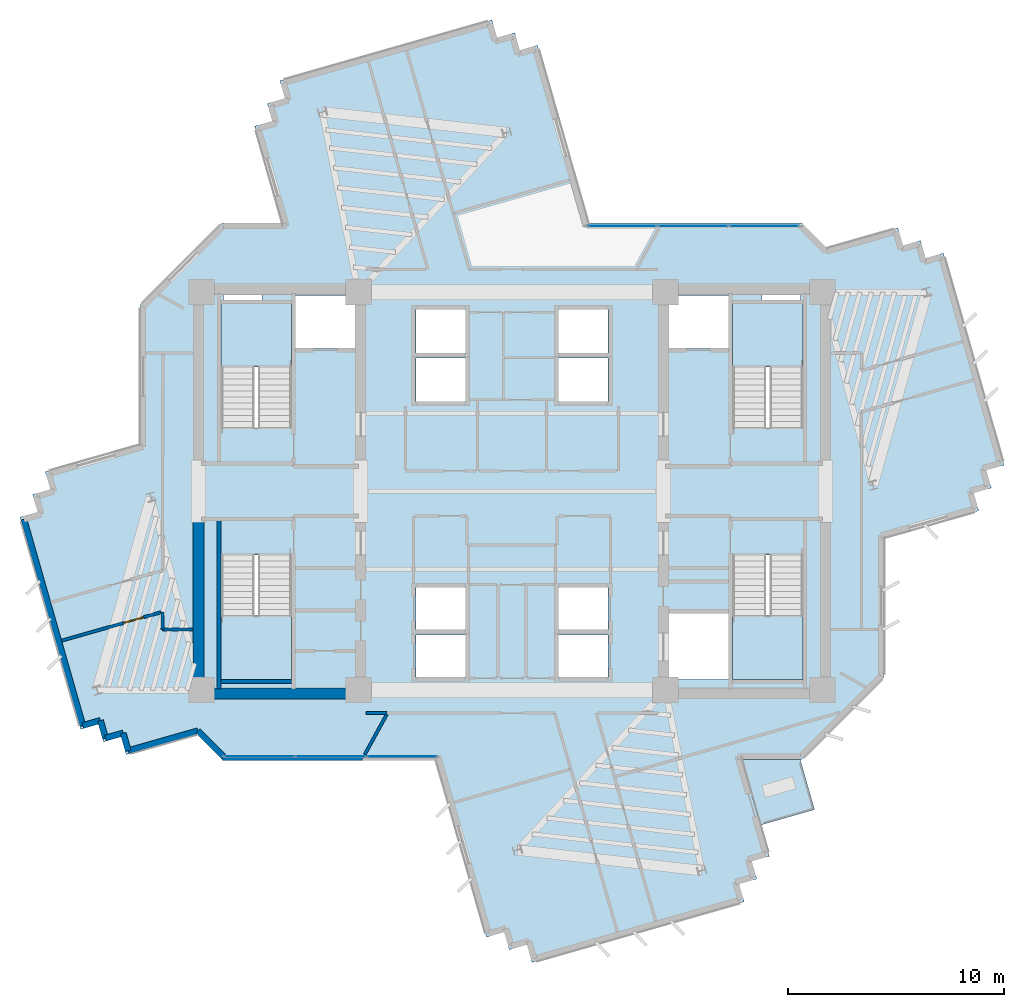
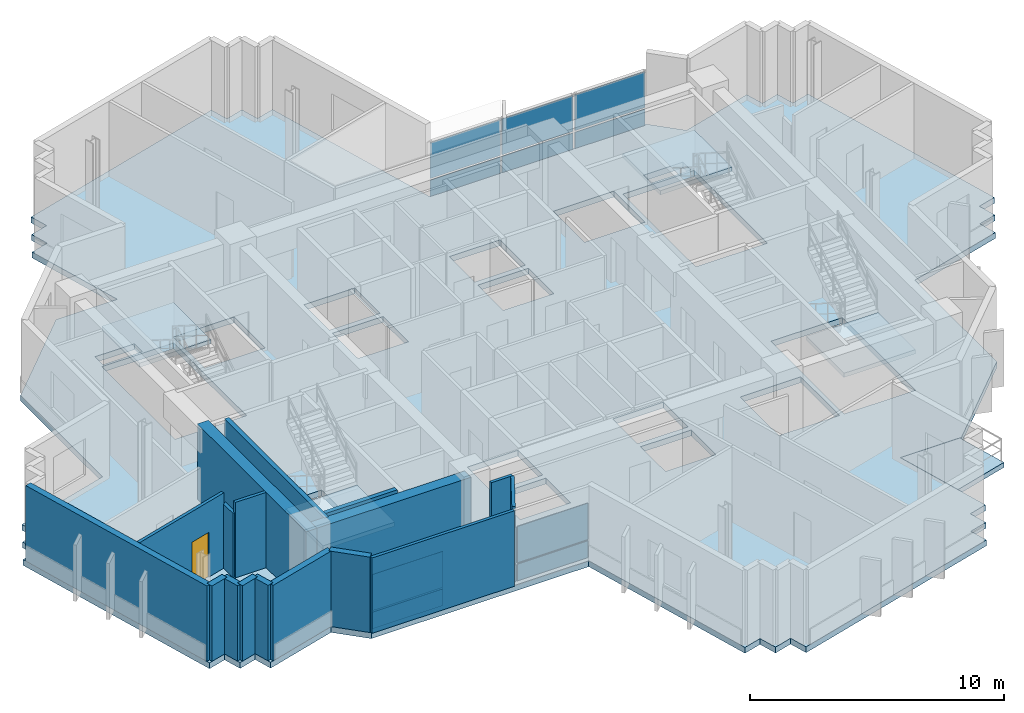
# One storey, part 4 of 14: 17 walls, 12 plates, 6 slabs, 1 door, 1 opening, 6 elements without a shape of their own.
"""IFC4 building model written with IfcOpenShell, lengths in metres."""

from ifc_helpers import new_model, si_unit, direction, frame, frame_2d, origin, origin_2d, place, context, subcontext, project, spatial, polyline, rectangle, outline, extrude, source, transform, mapped, material, layer, layer_set, type_object, element, fill, aggregate, save


model = new_model("IFC4")

# Units and contexts
model_context = context("Model", 3, precision=1e-05, world=origin(), true_north=direction((0.0, 1.0)))
body_context = subcontext(model_context, "Body", "Model", "MODEL_VIEW")
ifc_project = project(units=[si_unit("LENGTHUNIT", "METRE"), si_unit("AREAUNIT", "SQUARE_METRE"), si_unit("VOLUMEUNIT", "CUBIC_METRE"), si_unit("PLANEANGLEUNIT", "RADIAN"), si_unit("MASSUNIT", "GRAM", prefix="KILO")], contexts=[model_context])

# Site, building, storey
site_placement = place(None, origin())
site = spatial("IfcSite", under=ifc_project, at=site_placement, CompositionType="ELEMENT")
building_placement = place(site_placement, origin())
building = spatial("IfcBuilding", under=site, at=building_placement, Name="Zahravan Cultural Tower", CompositionType="ELEMENT")
storey_placement = place(building_placement, frame((0.0, 0.0, 205.800048828125)))
storey = spatial("IfcBuildingStorey", under=building, at=storey_placement, Name="L48", CompositionType="ELEMENT", Elevation=205.800048828125)

# Slab
ifc_material_1 = material(Name="Concrete C45/55", Category="concrete")
ifc_layer_1 = layer(ifc_material_1, 0.280029296875)
ifc_layer_set_1 = layer_set([ifc_layer_1], Name="Concrete C45/55")
slab_type_1 = type_object("IfcSlabType", Name="SL-LIB-280", PredefinedType="FLOOR", material=ifc_layer_set_1)
slab_1_placement = place(storey_placement, frame((0.0, 0.0, -0.280029296875)))
element("IfcSlab", 1, at=slab_1_placement, inside=storey, type_object=slab_type_1, Name="L48 Structural Floor Slab", PredefinedType="FLOOR", context=body_context, shape_type="SweptSolid", body=[
    extrude(outline(polyline([(50.5625, 38.2373046875), (49.39990234375, 39.39990234375), (39.5263671875, 39.39990234375), (37.176025390625, 47.6181640625), (36.35888671875, 47.384521484375), (36.125, 48.20166015625), (35.307861328125, 47.968017578125), (35.07421875, 48.78515625), (25.267333984375, 45.98046875), (25.5009765625, 45.163330078125), (24.683837890625, 44.929443359375), (24.91748046875, 44.1123046875), (24.100341796875, 43.878662109375), (25.381103515625, 39.39990234375), (22.60009765625, 39.39990234375), (18.800048828125, 35.60009765625), (18.800048828125, 29.153564453125), (14.42041015625, 27.901123046875), (14.654052734375, 27.083740234375), (13.8369140625, 26.85009765625), (14.070556640625, 26.032958984375), (13.25341796875, 25.79931640625), (16.05810546875, 15.9921875), (16.875244140625, 16.22607421875), (17.10888671875, 15.40869140625), (17.92626953125, 15.642578125), (18.159912109375, 14.8251953125), (21.4375, 15.7626953125), (22.60009765625, 14.60009765625), (32.4736328125, 14.60009765625), (34.823974609375, 6.3818359375), (35.64111328125, 6.615478515625), (35.875, 5.79833984375), (36.692138671875, 6.031982421875), (36.92578125, 5.21484375), (46.732666015625, 8.01953125), (46.4990234375, 8.836669921875), (47.316162109375, 9.070556640625), (47.08251953125, 9.8876953125), (47.899658203125, 10.121337890625), (46.618896484375, 14.60009765625), (49.39990234375, 14.60009765625), (53.199951171875, 18.39990234375), (53.199951171875, 24.846435546875), (57.57958984375, 26.098876953125), (57.345947265625, 26.916259765625), (58.1630859375, 27.14990234375), (57.929443359375, 27.967041015625), (58.74658203125, 28.20068359375), (55.94189453125, 38.0078125), (55.124755859375, 37.77392578125), (54.89111328125, 38.59130859375), (54.07373046875, 38.357421875), (53.840087890625, 39.1748046875), (50.5625, 38.2373046875)]), holes=[polyline([(22.550048828125, 29.949951171875), (22.550048828125, 35.699951171875), (25.800048828125, 35.699951171875), (25.800048828125, 29.949951171875), (22.550048828125, 29.949951171875)]), polyline([(22.550048828125, 18.300048828125), (22.550048828125, 24.050048828125), (25.800048828125, 24.050048828125), (25.800048828125, 18.300048828125), (22.550048828125, 18.300048828125)]), polyline([(46.199951171875, 29.949951171875), (46.199951171875, 35.699951171875), (49.449951171875, 35.699951171875), (49.449951171875, 29.949951171875), (46.199951171875, 29.949951171875)]), polyline([(46.199951171875, 18.300048828125), (46.199951171875, 24.050048828125), (49.449951171875, 24.050048828125), (49.449951171875, 18.300048828125), (46.199951171875, 18.300048828125)]), polyline([(26.0, 33.60009765625), (26.0, 36.050048828125), (28.75, 36.050048828125), (28.75, 33.60009765625), (26.0, 33.60009765625)]), polyline([(43.25, 33.60009765625), (43.25, 36.050048828125), (46.0, 36.050048828125), (46.0, 33.60009765625), (43.25, 33.60009765625)]), polyline([(43.25, 18.300048828125), (43.25, 21.35009765625), (46.0, 21.35009765625), (46.0, 18.300048828125), (43.25, 18.300048828125)]), polyline([(31.550048828125, 33.39990234375), (31.550048828125, 35.39990234375), (33.85009765625, 35.39990234375), (33.85009765625, 33.39990234375), (31.550048828125, 33.39990234375)]), polyline([(31.550048828125, 31.14990234375), (31.550048828125, 33.14990234375), (33.85009765625, 33.14990234375), (33.85009765625, 31.14990234375), (31.550048828125, 31.14990234375)]), polyline([(38.14990234375, 33.39990234375), (38.14990234375, 35.39990234375), (40.449951171875, 35.39990234375), (40.449951171875, 33.39990234375), (38.14990234375, 33.39990234375)]), polyline([(38.14990234375, 31.14990234375), (38.14990234375, 33.14990234375), (40.449951171875, 33.14990234375), (40.449951171875, 31.14990234375), (38.14990234375, 31.14990234375)]), polyline([(31.550048828125, 20.60009765625), (31.550048828125, 22.550048828125), (33.85009765625, 22.550048828125), (33.85009765625, 20.60009765625), (31.550048828125, 20.60009765625)]), polyline([(31.550048828125, 18.39990234375), (31.550048828125, 20.35009765625), (33.85009765625, 20.35009765625), (33.85009765625, 18.39990234375), (31.550048828125, 18.39990234375)]), polyline([(38.14990234375, 20.60009765625), (38.14990234375, 22.550048828125), (40.449951171875, 22.550048828125), (40.449951171875, 20.60009765625), (38.14990234375, 20.60009765625)]), polyline([(38.14990234375, 18.39990234375), (38.14990234375, 20.35009765625), (40.449951171875, 20.35009765625), (40.449951171875, 18.39990234375), (38.14990234375, 18.39990234375)]), polyline([(22.64990234375, 35.800048828125), (22.64990234375, 36.419921875), (24.449951171875, 36.419921875), (24.449951171875, 35.800048828125), (22.64990234375, 35.800048828125)]), polyline([(47.550048828125, 35.800048828125), (47.550048828125, 36.419921875), (49.35009765625, 36.419921875), (49.35009765625, 35.800048828125), (47.550048828125, 35.800048828125)])]), origin(), (0.0, 0.0, 1.0), 0.280029296875),
])

# Stair, slab
stair_type = type_object("IfcStairType", Name="STR-DL-1550-390", PredefinedType="HALF_TURN_STAIR", material=ifc_material_1)
stair_1_placement = place(storey_placement, origin())
stair_1 = element("IfcStair", 2, at=stair_1_placement, inside=storey, type_object=stair_type, Name="L48 West Core North Exit Stair ST-W1", PredefinedType="HALF_TURN_STAIR")
ifc_layer_2 = layer(ifc_material_1, 0.199951171875)
ifc_layer_set_2 = layer_set([ifc_layer_2], Name="Concrete C45/55")
slab_type_2 = type_object("IfcSlabType", Name="SL-STAIR-LND200", PredefinedType="LANDING", material=ifc_layer_set_2)
slab_2_placement = place(storey_placement, frame((0.0, 0.0, 1.75)))
slab_2 = element("IfcSlab", 3, at=slab_2_placement, type_object=slab_type_2, Name="ST-W1 landing 1", PredefinedType="LANDING", context=body_context, shape_type="SweptSolid", body=[
    extrude(outline(polyline([(25.800048828125, 32.75), (25.800048828125, 35.699951171875), (22.550048828125, 35.699951171875), (22.550048828125, 32.75), (25.800048828125, 32.75)])), origin(), (0.0, 0.0, 1.0), 0.199951171875),
])
aggregate(stair_1, [slab_2])

stair_2_placement = place(storey_placement, origin())
stair_2 = element("IfcStair", 4, at=stair_2_placement, inside=storey, type_object=stair_type, Name="L48 West Core South Exit Stair ST-W2", PredefinedType="HALF_TURN_STAIR")
slab_3_placement = place(storey_placement, frame((0.0, 0.0, 1.75)))
slab_3 = element("IfcSlab", 5, at=slab_3_placement, type_object=slab_type_2, Name="ST-W2 landing 1", PredefinedType="LANDING", context=body_context, shape_type="SweptSolid", body=[
    extrude(outline(polyline([(22.550048828125, 21.25), (22.550048828125, 18.300048828125), (25.800048828125, 18.300048828125), (25.800048828125, 21.25), (22.550048828125, 21.25)])), origin(), (0.0, 0.0, 1.0), 0.199951171875),
])
aggregate(stair_2, [slab_3])

stair_3_placement = place(storey_placement, origin())
stair_3 = element("IfcStair", 6, at=stair_3_placement, inside=storey, type_object=stair_type, Name="L48 East Core North Exit Stair ST-E1", PredefinedType="HALF_TURN_STAIR")
slab_4_placement = place(storey_placement, frame((0.0, 0.0, 1.75)))
slab_4 = element("IfcSlab", 7, at=slab_4_placement, type_object=slab_type_2, Name="ST-E1 landing 1", PredefinedType="LANDING", context=body_context, shape_type="SweptSolid", body=[
    extrude(outline(polyline([(49.449951171875, 32.75), (49.449951171875, 35.699951171875), (46.199951171875, 35.699951171875), (46.199951171875, 32.75), (49.449951171875, 32.75)])), origin(), (0.0, 0.0, 1.0), 0.199951171875),
])
aggregate(stair_3, [slab_4])

stair_4_placement = place(storey_placement, origin())
stair_4 = element("IfcStair", 8, at=stair_4_placement, inside=storey, type_object=stair_type, Name="L48 East Core South Exit Stair ST-E2", PredefinedType="HALF_TURN_STAIR")
slab_5_placement = place(storey_placement, frame((0.0, 0.0, 1.75)))
slab_5 = element("IfcSlab", 9, at=slab_5_placement, type_object=slab_type_2, Name="ST-E2 landing 1", PredefinedType="LANDING", context=body_context, shape_type="SweptSolid", body=[
    extrude(outline(polyline([(46.199951171875, 21.25), (46.199951171875, 18.300048828125), (49.449951171875, 18.300048828125), (49.449951171875, 21.25), (46.199951171875, 21.25)])), origin(), (0.0, 0.0, 1.0), 0.199951171875),
])
aggregate(stair_4, [slab_5])

# Slab
ifc_material_2 = material(Name="Concrete C40/50", Category="concrete")
ifc_layer_3 = layer(ifc_material_2, 0.239990234375)
ifc_layer_set_3 = layer_set([ifc_layer_3], Name="Concrete C40/50")
slab_type_3 = type_object("IfcSlabType", Name="SL-TERR-240", PredefinedType="FLOOR", material=ifc_layer_set_3)
slab_6_placement = place(storey_placement, frame((0.0, 0.0, -0.239990234375)))
element("IfcSlab", 10, at=slab_6_placement, inside=storey, type_object=slab_type_3, Name="L48 Planted Sculpture Terrace SE", PredefinedType="FLOOR", context=body_context, shape_type="SweptSolid", body=[
    extrude(outline(polyline([(49.987060546875, 12.278564453125), (49.32470703125, 14.594970703125), (46.62548828125, 14.594970703125), (47.4921875, 11.56494140625), (49.987060546875, 12.278564453125)])), origin(), (0.0, 0.0, 1.0), 0.239990234375),
])

# Curtain wall, plates
ifc_material_3 = material(Name="Anodised bronze-aluminium mullion", Category="aluminium")
ifc_layer_4 = layer(ifc_material_3, 0.1650390625)
ifc_layer_set_4 = layer_set([ifc_layer_4], Name="Anodised bronze-aluminium mullion")
curtain_wall_type_1 = type_object("IfcCurtainWallType", Name="CW-SYS-4", PredefinedType="USERDEFINED", material=ifc_layer_set_4)
curtain_wall_1_placement = place(storey_placement, origin())
curtain_wall_1 = element("IfcCurtainWall", 11, at=curtain_wall_1_placement, inside=storey, type_object=curtain_wall_type_1, Name="L48 Recessed Curtain Wall CW-4.1", ObjectType="RECESSED GLAZING", PredefinedType="USERDEFINED")
ifc_material_4 = material(Name="Low-E solar-control double glazing", Category="glass")
ifc_layer_5 = layer(ifc_material_4, 0.02587890625)
ifc_layer_set_5 = layer_set([ifc_layer_5], Name="Low-E solar-control double glazing")
plate_type_1 = type_object("IfcPlateType", Name="CWP-CW-4", PredefinedType="CURTAIN_PANEL", material=ifc_layer_set_5)
shared_shape_1 = source(origin(), body_context, "Body", "SweptSolid", [
    extrude(rectangle(XDim=3.209716796875, YDim=0.02587890625, at=origin_2d()), origin(), (0.0, 0.0, 1.0), 0.802490234375),
])
plate_1_placement = place(storey_placement, frame((30.909423828125, 14.739990234375, 0.06494140625), z_axis=(0.0, 0.0, 1.0), x_axis=(-1.0, 0.0, 0.0)))
plate_1 = element("IfcPlate", 12, at=plate_1_placement, type_object=plate_type_1, Name="CW-4 panel 1.1", PredefinedType="CURTAIN_PANEL", context=body_context, shape_type="MappedRepresentation", body=[
    mapped(shared_shape_1, transform((0.0, 0.0, 0.0), x_axis=(1.0, 0.0, 0.0), y_axis=(0.0, 1.0, 0.0), z_axis=(0.0, 0.0, 1.0), scale=1.0)),
])
plate_2_placement = place(storey_placement, frame((24.327880859375, 14.739990234375, 0.06494140625), z_axis=(0.0, 0.0, 1.0), x_axis=(-1.0, 0.0, 0.0)))
plate_2 = element("IfcPlate", 13, at=plate_2_placement, type_object=plate_type_1, Name="CW-4 panel 3.1", PredefinedType="CURTAIN_PANEL", context=body_context, shape_type="MappedRepresentation", body=[
    mapped(shared_shape_1, transform((0.0, 0.0, 0.0), x_axis=(1.0, 0.0, 0.0), y_axis=(0.0, 1.0, 0.0), z_axis=(0.0, 0.0, 1.0), scale=1.0)),
])
shared_shape_2 = source(origin(), body_context, "Body", "SweptSolid", [
    extrude(rectangle(XDim=3.209716796875, YDim=0.02587890625, at=origin_2d()), origin(), (0.0, 0.0, 1.0), 1.742431640625),
])
plate_3_placement = place(storey_placement, frame((30.909423828125, 14.739990234375, 0.9326171875), z_axis=(0.0, 0.0, 1.0), x_axis=(-1.0, 0.0, 0.0)))
plate_3 = element("IfcPlate", 14, at=plate_3_placement, type_object=plate_type_1, Name="CW-4 panel 1.2", PredefinedType="CURTAIN_PANEL", context=body_context, shape_type="MappedRepresentation", body=[
    mapped(shared_shape_2, transform((0.0, 0.0, 0.0), x_axis=(1.0, 0.0, 0.0), y_axis=(0.0, 1.0, 0.0), z_axis=(0.0, 0.0, 1.0), scale=1.0)),
])
plate_4_placement = place(storey_placement, frame((24.327880859375, 14.739990234375, 0.9326171875), z_axis=(0.0, 0.0, 1.0), x_axis=(-1.0, 0.0, 0.0)))
plate_4 = element("IfcPlate", 15, at=plate_4_placement, type_object=plate_type_1, Name="CW-4 panel 3.2", PredefinedType="CURTAIN_PANEL", context=body_context, shape_type="MappedRepresentation", body=[
    mapped(shared_shape_2, transform((0.0, 0.0, 0.0), x_axis=(1.0, 0.0, 0.0), y_axis=(0.0, 1.0, 0.0), z_axis=(0.0, 0.0, 1.0), scale=1.0)),
])
shared_shape_3 = source(origin(), body_context, "Body", "SweptSolid", [
    extrude(rectangle(XDim=3.2421875, YDim=0.02587890625, at=origin_2d()), origin(), (0.0, 0.0, 1.0), 0.802490234375),
])
plate_5_placement = place(storey_placement, frame((27.61865234375, 14.739990234375, 0.06494140625), z_axis=(0.0, 0.0, 1.0), x_axis=(-1.0, 0.0, 0.0)))
plate_5 = element("IfcPlate", 16, at=plate_5_placement, type_object=plate_type_1, Name="CW-4 panel 2.1", PredefinedType="CURTAIN_PANEL", context=body_context, shape_type="MappedRepresentation", body=[
    mapped(shared_shape_3, transform((0.0, 0.0, 0.0), x_axis=(1.0, 0.0, 0.0), y_axis=(0.0, 1.0, 0.0), z_axis=(0.0, 0.0, 1.0), scale=1.0)),
])
shared_shape_4 = source(origin(), body_context, "Body", "SweptSolid", [
    extrude(rectangle(XDim=3.2421875, YDim=0.02587890625, at=origin_2d()), origin(), (0.0, 0.0, 1.0), 1.742431640625),
])
plate_6_placement = place(storey_placement, frame((27.61865234375, 14.739990234375, 0.9326171875), z_axis=(0.0, 0.0, 1.0), x_axis=(-1.0, 0.0, 0.0)))
plate_6 = element("IfcPlate", 17, at=plate_6_placement, type_object=plate_type_1, Name="CW-4 panel 2.2", PredefinedType="CURTAIN_PANEL", context=body_context, shape_type="MappedRepresentation", body=[
    mapped(shared_shape_4, transform((0.0, 0.0, 0.0), x_axis=(1.0, 0.0, 0.0), y_axis=(0.0, 1.0, 0.0), z_axis=(0.0, 0.0, 1.0), scale=1.0)),
])
aggregate(curtain_wall_1, [plate_1, plate_3, plate_5, plate_6, plate_2, plate_4])

ifc_layer_6 = layer(ifc_material_3, 0.219970703125)
ifc_layer_set_6 = layer_set([ifc_layer_6], Name="Anodised bronze-aluminium mullion")
curtain_wall_type_2 = type_object("IfcCurtainWallType", Name="CW-SYS-1", PredefinedType="USERDEFINED", material=ifc_layer_set_6)
curtain_wall_2_placement = place(storey_placement, origin())
curtain_wall_2 = element("IfcCurtainWall", 18, at=curtain_wall_2_placement, inside=storey, type_object=curtain_wall_type_2, Name="L48 Recessed Curtain Wall CW-1.2", ObjectType="RECESSED GLAZING", PredefinedType="USERDEFINED")
ifc_layer_7 = layer(ifc_material_4, 0.031982421875)
ifc_layer_set_7 = layer_set([ifc_layer_7], Name="Low-E solar-control double glazing")
plate_type_2 = type_object("IfcPlateType", Name="CWP-CW-1", PredefinedType="CURTAIN_PANEL", material=ifc_layer_set_7)
shared_shape_5 = source(origin(), body_context, "Body", "SweptSolid", [
    extrude(rectangle(XDim=3.18701171875, YDim=0.031982421875, at=origin_2d()), origin(), (0.0, 0.0, 1.0), 0.780029296875),
])
plate_7_placement = place(storey_placement, frame((41.09423828125, 39.260009765625, 0.080078125), z_axis=(0.0, 0.0, 1.0), x_axis=(1.0, 0.0, 0.0)))
plate_7 = element("IfcPlate", 19, at=plate_7_placement, type_object=plate_type_2, Name="CW-1 panel 1.1", PredefinedType="CURTAIN_PANEL", context=body_context, shape_type="MappedRepresentation", body=[
    mapped(shared_shape_5, transform((0.0, 0.0, 0.0), x_axis=(1.0, 0.0, 0.0), y_axis=(0.0, 1.0, 0.0), z_axis=(0.0, 0.0, 1.0), scale=1.0)),
])
plate_8_placement = place(storey_placement, frame((47.66845703125, 39.260009765625, 0.080078125), z_axis=(0.0, 0.0, 1.0), x_axis=(1.0, 0.0, 0.0)))
plate_8 = element("IfcPlate", 20, at=plate_8_placement, type_object=plate_type_2, Name="CW-1 panel 3.1", PredefinedType="CURTAIN_PANEL", context=body_context, shape_type="MappedRepresentation", body=[
    mapped(shared_shape_5, transform((0.0, 0.0, 0.0), x_axis=(1.0, 0.0, 0.0), y_axis=(0.0, 1.0, 0.0), z_axis=(0.0, 0.0, 1.0), scale=1.0)),
])
shared_shape_6 = source(origin(), body_context, "Body", "SweptSolid", [
    extrude(rectangle(XDim=3.18701171875, YDim=0.031982421875, at=origin_2d()), origin(), (0.0, 0.0, 1.0), 1.719970703125),
])
plate_9_placement = place(storey_placement, frame((41.09423828125, 39.260009765625, 0.93994140625), z_axis=(0.0, 0.0, 1.0), x_axis=(1.0, 0.0, 0.0)))
plate_9 = element("IfcPlate", 21, at=plate_9_placement, type_object=plate_type_2, Name="CW-1 panel 1.2", PredefinedType="CURTAIN_PANEL", context=body_context, shape_type="MappedRepresentation", body=[
    mapped(shared_shape_6, transform((0.0, 0.0, 0.0), x_axis=(1.0, 0.0, 0.0), y_axis=(0.0, 1.0, 0.0), z_axis=(0.0, 0.0, 1.0), scale=1.0)),
])
plate_10_placement = place(storey_placement, frame((47.66845703125, 39.260009765625, 0.93994140625), z_axis=(0.0, 0.0, 1.0), x_axis=(1.0, 0.0, 0.0)))
plate_10 = element("IfcPlate", 22, at=plate_10_placement, type_object=plate_type_2, Name="CW-1 panel 3.2", PredefinedType="CURTAIN_PANEL", context=body_context, shape_type="MappedRepresentation", body=[
    mapped(shared_shape_6, transform((0.0, 0.0, 0.0), x_axis=(1.0, 0.0, 0.0), y_axis=(0.0, 1.0, 0.0), z_axis=(0.0, 0.0, 1.0), scale=1.0)),
])
shared_shape_7 = source(origin(), body_context, "Body", "SweptSolid", [
    extrude(rectangle(XDim=3.22705078125, YDim=0.031982421875, at=origin_2d()), origin(), (0.0, 0.0, 1.0), 0.780029296875),
])
plate_11_placement = place(storey_placement, frame((44.38134765625, 39.260009765625, 0.080078125), z_axis=(0.0, 0.0, 1.0), x_axis=(1.0, 0.0, 0.0)))
plate_11 = element("IfcPlate", 23, at=plate_11_placement, type_object=plate_type_2, Name="CW-1 panel 2.1", PredefinedType="CURTAIN_PANEL", context=body_context, shape_type="MappedRepresentation", body=[
    mapped(shared_shape_7, transform((0.0, 0.0, 0.0), x_axis=(1.0, 0.0, 0.0), y_axis=(0.0, 1.0, 0.0), z_axis=(0.0, 0.0, 1.0), scale=1.0)),
])
shared_shape_8 = source(origin(), body_context, "Body", "SweptSolid", [
    extrude(rectangle(XDim=3.22705078125, YDim=0.031982421875, at=origin_2d()), origin(), (0.0, 0.0, 1.0), 1.719970703125),
])
plate_12_placement = place(storey_placement, frame((44.38134765625, 39.260009765625, 0.93994140625), z_axis=(0.0, 0.0, 1.0), x_axis=(1.0, 0.0, 0.0)))
plate_12 = element("IfcPlate", 24, at=plate_12_placement, type_object=plate_type_2, Name="CW-1 panel 2.2", PredefinedType="CURTAIN_PANEL", context=body_context, shape_type="MappedRepresentation", body=[
    mapped(shared_shape_8, transform((0.0, 0.0, 0.0), x_axis=(1.0, 0.0, 0.0), y_axis=(0.0, 1.0, 0.0), z_axis=(0.0, 0.0, 1.0), scale=1.0)),
])
aggregate(curtain_wall_2, [plate_7, plate_9, plate_11, plate_12, plate_8, plate_10])

# Wall, opening, door
ifc_material_5 = material(Name="Gypsum plasterboard partition")
ifc_layer_8 = layer(ifc_material_5, 0.139892578125)
ifc_layer_set_8 = layer_set([ifc_layer_8], Name="Gypsum plasterboard partition")
wall_type_1 = type_object("IfcWallType", Name="W-PART-140", PredefinedType="PARTITIONING", material=ifc_layer_set_8)
wall_1_placement = place(storey_placement, frame((15.1826171875, 20.089599609375, 0.0), z_axis=(0.0, 0.0, 1.0), x_axis=(0.961460270043, 0.274943901784, 0.0)))
wall_1 = element("IfcWall", 25, at=wall_1_placement, inside=storey, type_object=wall_type_1, Name="L48 Interior Wall 119", PredefinedType="PARTITIONING", context=body_context, shape_type="SweptSolid", body=[
    extrude(rectangle(XDim=4.7763671875, YDim=0.139892578125, at=frame_2d((2.38818359375, 0.0))), origin(), (0.0, 0.0, 1.0), 3.619873046875),
])
opening_placement = place(wall_1_placement, frame((2.984619140625, 0.0, 0.0)))
opening = element("IfcOpeningElement", 26, at=opening_placement, cuts=wall_1, Name="Opening D-L48-29", PredefinedType="OPENING", context=body_context, shape_type="SweptSolid", body=[
    extrude(rectangle(XDim=0.949951171875, YDim=2.14990234375, at=frame_2d((0.47509765625, 1.074951171875))), frame((0.0, 0.079833984375, 0.0), z_axis=(0.0, -1.0, 0.0), x_axis=(1.0, 0.0, 0.0)), (0.0, 0.0, 1.0), 0.159912109375),
])
door_type = type_object("IfcDoorType", Name="DR-ROOM-950", OperationType="NOTDEFINED", PredefinedType="DOOR", material=ifc_material_3)
shared_shape_9 = source(origin(), body_context, "Body", "SweptSolid", [
    extrude(rectangle(XDim=0.949951171875, YDim=2.14990234375, at=frame_2d((0.47509765625, 1.074951171875))), frame((0.0, 0.02490234375, 0.0), z_axis=(0.0, -1.0, 0.0), x_axis=(1.0, 0.0, 0.0)), (0.0, 0.0, 1.0), 0.050048828125),
])
door_placement = place(opening_placement, origin())
door = element("IfcDoor", 27, at=door_placement, inside=storey, type_object=door_type, Name="L48 Door D-L48-29", OperationType="SINGLE_SWING_RIGHT", OverallHeight=2.14990234375, OverallWidth=0.949951171875, PredefinedType="DOOR", context=body_context, shape_type="MappedRepresentation", body=[
    mapped(shared_shape_9, transform((0.0, 0.0, 0.0), x_axis=(1.0, 0.0, 0.0), y_axis=(0.0, 1.0, 0.0), z_axis=(0.0, 0.0, 1.0), scale=1.0)),
])
fill(opening, door)

# Walls
ifc_material_6 = material(Name="Concrete C60/75", Category="concrete")
ifc_layer_9 = layer(ifc_material_6, 0.5)
ifc_layer_set_9 = layer_set([ifc_layer_9], Name="Concrete C60/75")
wall_type_2 = type_object("IfcWallType", Name="CW-SHEAR-500-C60", PredefinedType="SHEAR", material=ifc_layer_set_9)
shared_shape_10 = source(origin(), body_context, "Body", "SweptSolid", [
    extrude(rectangle(XDim=8.550048828125, YDim=0.5, at=frame_2d((4.27490234375, 0.0))), origin(), (0.0, 0.0, 1.0), 3.619873046875),
])
wall_2_placement = place(storey_placement, frame((21.5, 17.39990234375, 0.0), z_axis=(0.0, 0.0, 1.0), x_axis=(0.0, 1.0, 0.0)))
element("IfcWall", 28, at=wall_2_placement, inside=storey, type_object=wall_type_2, Name="L48 Core Shear Wall CW-W-WS-L48", PredefinedType="SHEAR", context=body_context, shape_type="MappedRepresentation", body=[
    mapped(shared_shape_10, transform((0.0, 0.0, 0.0), x_axis=(1.0, 0.0, 0.0), y_axis=(0.0, 1.0, 0.0), z_axis=(0.0, 0.0, 1.0), scale=1.0)),
])
shared_shape_11 = source(origin(), body_context, "Body", "SweptSolid", [
    extrude(rectangle(XDim=7.0, YDim=0.5, at=frame_2d((3.5, 0.0))), origin(), (0.0, 0.0, 1.0), 3.619873046875),
])
wall_3_placement = place(storey_placement, frame((21.75, 17.64990234375, 0.0), z_axis=(0.0, 0.0, 1.0), x_axis=(1.0, 0.0, 0.0)))
element("IfcWall", 29, at=wall_3_placement, inside=storey, type_object=wall_type_2, Name="L48 Core Shear Wall CW-W-S-L48", PredefinedType="SHEAR", context=body_context, shape_type="MappedRepresentation", body=[
    mapped(shared_shape_11, transform((0.0, 0.0, 0.0), x_axis=(1.0, 0.0, 0.0), y_axis=(0.0, 1.0, 0.0), z_axis=(0.0, 0.0, 1.0), scale=1.0)),
])
ifc_material_7 = material(Name="Precast concrete C40/50", Category="concrete")
ifc_layer_10 = layer(ifc_material_7, 0.280029296875)
ifc_layer_set_10 = layer_set([ifc_layer_10], Name="Precast concrete C40/50")
wall_type_3 = type_object("IfcWallType", Name="EW-TC-280", PredefinedType="SOLIDWALL", material=ifc_layer_set_10)
shared_shape_12 = source(origin(), body_context, "Body", "SweptSolid", [
    extrude(rectangle(XDim=0.85009765625, YDim=0.280029296875, at=frame_2d((0.425048828125, 0.0))), origin(), (0.0, 0.0, 1.0), 3.619873046875),
])
for number, where, z_axis, x_axis, name in (
    (30, (18.256103515625, 14.998291015625, 0.0), (0.0, 0.0, 1.0), (-0.275100375961, 0.961415510144, 0.0), "L48 Exterior Masonry Frame Wall 28"),
    (31, (17.205078125, 15.581787109375, 0.0), (0.0, 0.0, 1.0), (-0.274834915789, 0.961491429532, 0.0), "L48 Exterior Masonry Frame Wall 30"),
):
    element("IfcWall", number, at=place(storey_placement, frame(where, z_axis=z_axis, x_axis=x_axis)), inside=storey, type_object=wall_type_3, Name=name, PredefinedType="SOLIDWALL", context=body_context, shape_type="MappedRepresentation", body=[
        mapped(shared_shape_12, transform((0.0, 0.0, 0.0), x_axis=(1.0, 0.0, 0.0), y_axis=(0.0, 1.0, 0.0), z_axis=(0.0, 0.0, 1.0), scale=1.0)),
    ])
shared_shape_13 = source(origin(), body_context, "Body", "SweptSolid", [
    extrude(rectangle(XDim=0.849853515625, YDim=0.280029296875, at=frame_2d((0.4248046875, 0.0))), origin(), (0.0, 0.0, 1.0), 3.619873046875),
])
for number, where, z_axis, x_axis, name in (
    (32, (18.022216796875, 15.815673828125, 0.0), (0.0, 0.0, 1.0), (-0.961393768724, -0.275176346112, 0.0), "L48 Exterior Masonry Frame Wall 29"),
    (33, (16.971435546875, 16.399169921875, 0.0), (0.0, 0.0, 1.0), (-0.961393768724, -0.275176346112, 0.0), "L48 Exterior Masonry Frame Wall 31"),
):
    element("IfcWall", number, at=place(storey_placement, frame(where, z_axis=z_axis, x_axis=x_axis)), inside=storey, type_object=wall_type_3, Name=name, PredefinedType="SOLIDWALL", context=body_context, shape_type="MappedRepresentation", body=[
        mapped(shared_shape_13, transform((0.0, 0.0, 0.0), x_axis=(1.0, 0.0, 0.0), y_axis=(0.0, 1.0, 0.0), z_axis=(0.0, 0.0, 1.0), scale=1.0)),
    ])
shared_shape_14 = source(origin(), body_context, "Body", "SweptSolid", [
    extrude(rectangle(XDim=9.920166015625, YDim=0.280029296875, at=frame_2d((4.9599609375, 0.0))), origin(), (0.0, 0.0, 1.0), 3.619873046875),
])
wall_4_placement = place(storey_placement, frame((16.154296875, 16.165283203125, 0.0), z_axis=(0.0, 0.0, 1.0), x_axis=(-0.274971401171, 0.961452405758, 0.0)))
element("IfcWall", 34, at=wall_4_placement, inside=storey, type_object=wall_type_3, Name="L48 Exterior Masonry Frame Wall 32", PredefinedType="SOLIDWALL", context=body_context, shape_type="MappedRepresentation", body=[
    mapped(shared_shape_14, transform((0.0, 0.0, 0.0), x_axis=(1.0, 0.0, 0.0), y_axis=(0.0, 1.0, 0.0), z_axis=(0.0, 0.0, 1.0), scale=1.0)),
])
shared_shape_15 = source(origin(), body_context, "Body", "SweptSolid", [
    extrude(rectangle(XDim=3.35107421875, YDim=0.280029296875, at=frame_2d((1.675537109375, 0.0))), origin(), (0.0, 0.0, 1.0), 3.619873046875),
])
wall_5_placement = place(storey_placement, frame((21.47802734375, 15.919921875, 0.0), z_axis=(0.0, 0.0, 1.0), x_axis=(-0.961438677319, -0.275019398869, 0.0)))
element("IfcWall", 35, at=wall_5_placement, inside=storey, type_object=wall_type_3, Name="L48 Exterior Masonry Frame Wall 27", PredefinedType="SOLIDWALL", context=body_context, shape_type="MappedRepresentation", body=[
    mapped(shared_shape_15, transform((0.0, 0.0, 0.0), x_axis=(1.0, 0.0, 0.0), y_axis=(0.0, 1.0, 0.0), z_axis=(0.0, 0.0, 1.0), scale=1.0)),
])
shared_shape_16 = source(origin(), body_context, "Body", "SweptSolid", [
    extrude(rectangle(XDim=1.668701171875, YDim=0.280029296875, at=frame_2d((0.83447265625, 0.0))), origin(), (0.0, 0.0, 1.0), 3.619873046875),
])
wall_6_placement = place(storey_placement, frame((22.657958984375, 14.739990234375, 0.0), z_axis=(0.0, 0.0, 1.0), x_axis=(-0.707106781187, 0.707106781187, 0.0)))
element("IfcWall", 36, at=wall_6_placement, inside=storey, type_object=wall_type_3, Name="L48 Exterior Masonry Frame Wall 26", PredefinedType="SOLIDWALL", context=body_context, shape_type="MappedRepresentation", body=[
    mapped(shared_shape_16, transform((0.0, 0.0, 0.0), x_axis=(1.0, 0.0, 0.0), y_axis=(0.0, 1.0, 0.0), z_axis=(0.0, 0.0, 1.0), scale=1.0)),
])
ifc_layer_11 = layer(ifc_material_1, 0.199951171875)
ifc_layer_set_11 = layer_set([ifc_layer_11], Name="Concrete C45/55")
wall_type_4 = type_object("IfcWallType", Name="W-SHAFT-200", PredefinedType="SOLIDWALL", material=ifc_layer_set_11)
shared_shape_17 = source(origin(), body_context, "Body", "SweptSolid", [
    extrude(rectangle(XDim=7.869873046875, YDim=0.199951171875, at=frame_2d((3.93505859375, 0.0))), origin(), (0.0, 0.0, 1.0), 3.619873046875),
])
wall_7_placement = place(storey_placement, frame((22.449951171875, 17.85009765625, 0.0), z_axis=(0.0, 0.0, 1.0), x_axis=(0.0, 1.0, 0.0)))
element("IfcWall", 37, at=wall_7_placement, inside=storey, type_object=wall_type_4, Name="L48 Interior Wall 001", PredefinedType="SOLIDWALL", context=body_context, shape_type="MappedRepresentation", body=[
    mapped(shared_shape_17, transform((0.0, 0.0, 0.0), x_axis=(1.0, 0.0, 0.0), y_axis=(0.0, 1.0, 0.0), z_axis=(0.0, 0.0, 1.0), scale=1.0)),
])
shared_shape_18 = source(origin(), body_context, "Body", "SweptSolid", [
    extrude(rectangle(XDim=3.25, YDim=0.199951171875, at=frame_2d((1.625, 0.0))), origin(), (0.0, 0.0, 1.0), 3.619873046875),
])
wall_8_placement = place(storey_placement, frame((22.550048828125, 18.199951171875, 0.0), z_axis=(0.0, 0.0, 1.0), x_axis=(1.0, 0.0, 0.0)))
element("IfcWall", 38, at=wall_8_placement, inside=storey, type_object=wall_type_4, Name="L48 Interior Wall 019", PredefinedType="SOLIDWALL", context=body_context, shape_type="MappedRepresentation", body=[
    mapped(shared_shape_18, transform((0.0, 0.0, 0.0), x_axis=(1.0, 0.0, 0.0), y_axis=(0.0, 1.0, 0.0), z_axis=(0.0, 0.0, 1.0), scale=1.0)),
])
shared_shape_19 = source(origin(), body_context, "Body", "SweptSolid", [
    extrude(rectangle(XDim=1.39404296875, YDim=0.139892578125, at=frame_2d((0.697021484375, 0.0))), origin(), (0.0, 0.0, 1.0), 3.619873046875),
])
wall_9_placement = place(storey_placement, frame((19.85107421875, 20.60107421875, 0.0), z_axis=(0.0, 0.0, 1.0), x_axis=(0.999999754632, -0.000700525222, 0.0)))
element("IfcWall", 39, at=wall_9_placement, inside=storey, type_object=wall_type_1, Name="L48 Interior Wall 116", PredefinedType="PARTITIONING", context=body_context, shape_type="MappedRepresentation", body=[
    mapped(shared_shape_19, transform((0.0, 0.0, 0.0), x_axis=(1.0, 0.0, 0.0), y_axis=(0.0, 1.0, 0.0), z_axis=(0.0, 0.0, 1.0), scale=1.0)),
])
shared_shape_20 = source(origin(), body_context, "Body", "SweptSolid", [
    extrude(rectangle(XDim=2.111083984375, YDim=0.139892578125, at=frame_2d((1.0556640625, 0.0))), origin(), (0.0, 0.0, 1.0), 3.619873046875),
])
wall_10_placement = place(storey_placement, frame((29.192626953125, 14.827392578125, 0.0), z_axis=(0.0, 0.0, 1.0), x_axis=(0.481297142313, 0.876557505702, 0.0)))
element("IfcWall", 40, at=wall_10_placement, inside=storey, type_object=wall_type_1, Name="L48 Interior Wall 100", PredefinedType="PARTITIONING", context=body_context, shape_type="MappedRepresentation", body=[
    mapped(shared_shape_20, transform((0.0, 0.0, 0.0), x_axis=(1.0, 0.0, 0.0), y_axis=(0.0, 1.0, 0.0), z_axis=(0.0, 0.0, 1.0), scale=1.0)),
])
shared_shape_21 = source(origin(), body_context, "Body", "SweptSolid", [
    extrude(rectangle(XDim=0.8232421875, YDim=0.139892578125, at=frame_2d((0.41162109375, 0.0))), origin(), (0.0, 0.0, 1.0), 3.078857421875),
])
wall_11_placement = place(storey_placement, frame((19.85009765625, 21.42431640625, 0.0), z_axis=(0.0, 0.0, 1.0), x_axis=(0.001186238786, -0.999999296419, 0.0)))
element("IfcWall", 41, at=wall_11_placement, inside=storey, type_object=wall_type_1, Name="L48 Interior Wall 115", PredefinedType="PARTITIONING", context=body_context, shape_type="MappedRepresentation", body=[
    mapped(shared_shape_21, transform((0.0, 0.0, 0.0), x_axis=(1.0, 0.0, 0.0), y_axis=(0.0, 1.0, 0.0), z_axis=(0.0, 0.0, 1.0), scale=1.0)),
])
shared_shape_22 = source(origin(), body_context, "Body", "SweptSolid", [
    extrude(rectangle(XDim=0.97119140625, YDim=0.139892578125, at=frame_2d((0.485595703125, 0.0))), origin(), (0.0, 0.0, 1.0), 3.619873046875),
])
wall_12_placement = place(storey_placement, frame((29.25341796875, 16.740478515625, 0.0), z_axis=(0.0, 0.0, 1.0), x_axis=(0.999999873614, -0.000502765145, 0.0)))
element("IfcWall", 42, at=wall_12_placement, inside=storey, type_object=wall_type_1, Name="L48 Interior Wall 117", PredefinedType="PARTITIONING", context=body_context, shape_type="MappedRepresentation", body=[
    mapped(shared_shape_22, transform((0.0, 0.0, 0.0), x_axis=(1.0, 0.0, 0.0), y_axis=(0.0, 1.0, 0.0), z_axis=(0.0, 0.0, 1.0), scale=1.0)),
])
shared_shape_23 = source(origin(), body_context, "Body", "SweptSolid", [
    extrude(rectangle(XDim=6.470458984375, YDim=0.139892578125, at=frame_2d((3.2353515625, 0.0))), origin(), (0.0, 0.0, 1.0), 3.619873046875),
])
wall_13_placement = place(storey_placement, frame((29.07861328125, 14.6201171875, 0.0), z_axis=(0.0, 0.0, 1.0), x_axis=(-1.0, 0.0, 0.0)))
element("IfcWall", 43, at=wall_13_placement, inside=storey, type_object=wall_type_1, Name="L48 Interior Wall 118", PredefinedType="PARTITIONING", context=body_context, shape_type="MappedRepresentation", body=[
    mapped(shared_shape_23, transform((0.0, 0.0, 0.0), x_axis=(1.0, 0.0, 0.0), y_axis=(0.0, 1.0, 0.0), z_axis=(0.0, 0.0, 1.0), scale=1.0)),
])

save(model, "model.ifc")
